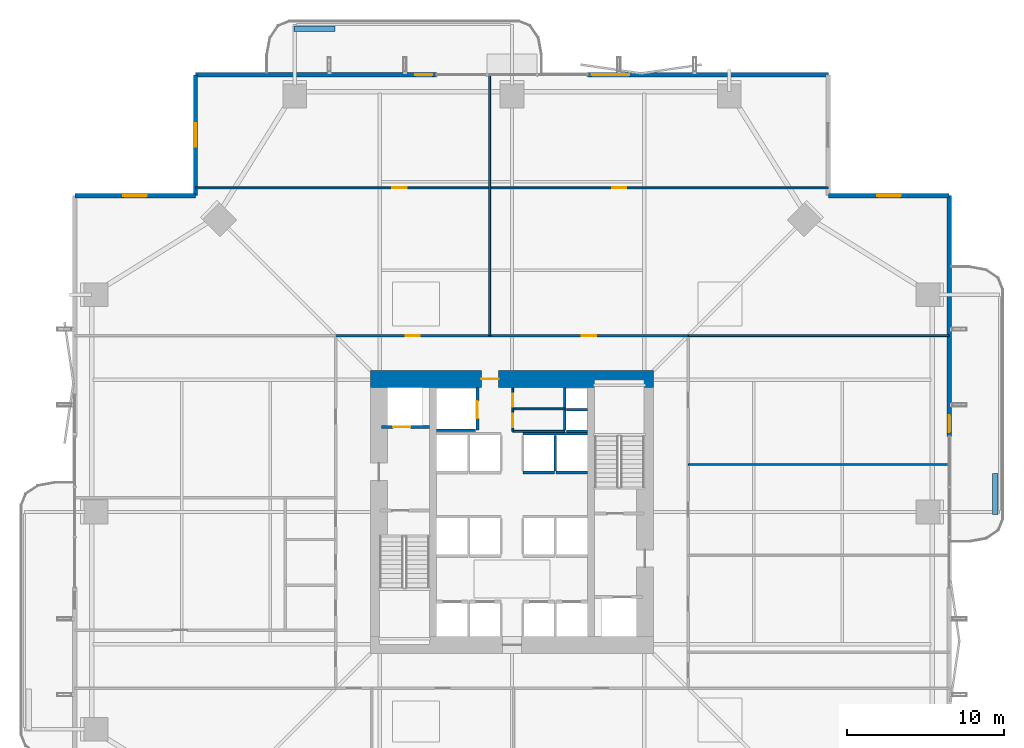
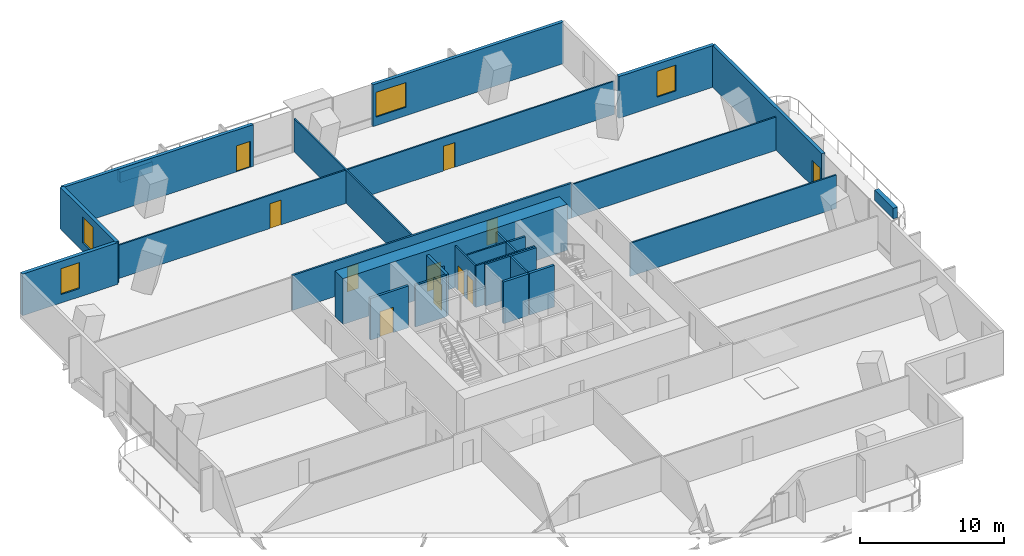
# One storey, part 19 of 24: 28 walls, 11 doors, 4 windows, 15 openings.
"""IFC4 building model written with IfcOpenShell, lengths in metres."""

import ifcopenshell
import ifcopenshell.guid

model = None  # the IFC model being written
_history = None  # IfcOwnerHistory: only IFC2X3 demands one
_inside = {}  # id of a spatial element -> (the spatial element, [elements in it])
_under = {}  # id of a project, library or spatial element -> (it, [spatial elements below it])
_declared = {}  # id of a project -> (the project, [libraries it declares])
_typed = {}  # id of a type object -> (the type object, [elements of that type])
_made_of = {}  # id of a material, layer set ... -> (it, [elements and type objects made of it])


def new_model(schema):
    """Start an empty IFC model of exactly this schema.

    Asked for "IFC4X3", IfcOpenShell would pick the latest addendum, in which some entities
    have other attributes; the version numbers below select the first issue.
    IFC2X3 requires an IfcOwnerHistory on every rooted entity: one is made here for all.
    """
    global model, _history
    if schema == "IFC4X3":
        model = ifcopenshell.file(schema_version=(4, 3, 0, 0))
    else:
        model = ifcopenshell.file(schema=schema)
    _inside.clear()
    _under.clear()
    _declared.clear()
    _typed.clear()
    _made_of.clear()
    _history = None
    if model.schema == "IFC2X3":
        org = make("IfcOrganization", Name="unknown")
        user = make(
            "IfcPersonAndOrganization",
            ThePerson=make("IfcPerson", FamilyName="unknown"),
            TheOrganization=org,
        )
        app = make(
            "IfcApplication",
            ApplicationDeveloper=org,
            Version="unknown",
            ApplicationFullName="unknown",
            ApplicationIdentifier="unknown",
        )
        _history = make(
            "IfcOwnerHistory",
            OwningUser=user,
            OwningApplication=app,
            ChangeAction="ADDED",
            CreationDate=0,
        )
    return model


def make(cls, **values):
    """One entity of the class cls with the attributes given. An attribute that is None is left unset."""
    return model.create_entity(
        cls, **{name: value for name, value in values.items() if value is not None}
    )


def rooted(cls, **values):
    """An entity with a GlobalId (a new one), such as an element, a storey or a relation."""
    return make(cls, GlobalId=ifcopenshell.guid.new(), OwnerHistory=_history, **values)


def si_unit(unit_type, name, prefix=None):
    """IfcSIUnit, for example si_unit("LENGTHUNIT", "METRE", prefix="MILLI")."""
    return make("IfcSIUnit", UnitType=unit_type, Prefix=prefix, Name=name)


def assignment(units):
    """IfcUnitAssignment: the units of a project."""
    return None if units is None else make("IfcUnitAssignment", Units=units)


def point(xyz):
    """IfcCartesianPoint."""
    return None if xyz is None else make("IfcCartesianPoint", Coordinates=xyz)


def direction(xyz):
    """IfcDirection."""
    return None if xyz is None else make("IfcDirection", DirectionRatios=xyz)


def frame(location, z_axis=None, x_axis=None):
    """IfcAxis2Placement3D, a coordinate frame: its origin and axes. An axis left out is left unset."""
    return make(
        "IfcAxis2Placement3D",
        Location=point(location),
        Axis=direction(z_axis),
        RefDirection=direction(x_axis),
    )


def frame_2d(location, x_axis=None):
    """IfcAxis2Placement2D, a coordinate frame in the plane: its origin and x axis."""
    return make(
        "IfcAxis2Placement2D", Location=point(location), RefDirection=direction(x_axis)
    )


def origin():
    """The frame at (0, 0, 0) with its axes left unset."""
    return frame((0.0, 0.0, 0.0))


def place(relative_to, where):
    """IfcLocalPlacement: puts the frame where relative to a parent placement (None: the world)."""
    return make(
        "IfcLocalPlacement", PlacementRelTo=relative_to, RelativePlacement=where
    )


def context(
    kind, dimensions, precision=None, world=None, true_north=None, identifier=None
):
    """IfcGeometricRepresentationContext, for example the 3D "Model" context."""
    return make(
        "IfcGeometricRepresentationContext",
        ContextIdentifier=identifier,
        ContextType=kind,
        CoordinateSpaceDimension=dimensions,
        Precision=precision,
        WorldCoordinateSystem=world,
        TrueNorth=true_north,
    )


def subcontext(parent, identifier, kind, view, scale=None):
    """IfcGeometricRepresentationSubContext, for example "Body" below "Model"."""
    return make(
        "IfcGeometricRepresentationSubContext",
        ContextIdentifier=identifier,
        ContextType=kind,
        ParentContext=parent,
        TargetScale=scale,
        TargetView=view,
    )


def project(units=None, contexts=None):
    """IfcProject with its units and contexts."""
    return rooted(
        "IfcProject",
        Name="project",
        RepresentationContexts=contexts,
        UnitsInContext=assignment(units),
    )


def spatial(cls, under=None, at=None, **own):
    """A site, building, storey or space (cls), placed at a placement, below another one or the project."""
    s = rooted(cls, ObjectPlacement=at, **own)
    if under is not None:
        _under.setdefault(under.id(), (under, []))[1].append(s)
    return s


def profile(cls, at=None, kind="AREA", **sizes):
    """A parametric profile (cls). Its sizes go by their IFC names, for example OverallWidth=200.0."""
    return make(cls, ProfileType=kind, Position=at, **sizes)


def rectangle(**sizes):
    """IfcRectangleProfileDef."""
    return profile("IfcRectangleProfileDef", **sizes)


def extrude(swept, where, along, depth):
    """IfcExtrudedAreaSolid: the profile swept, set in the frame where, extruded along a direction by depth."""
    return make(
        "IfcExtrudedAreaSolid",
        SweptArea=swept,
        Position=where,
        ExtrudedDirection=direction(along),
        Depth=depth,
    )


def shape(context_of_items, identifier, shape_type, items):
    """IfcShapeRepresentation: the items that make up one representation, for example the "Body"."""
    return make(
        "IfcShapeRepresentation",
        ContextOfItems=context_of_items,
        RepresentationIdentifier=identifier,
        RepresentationType=shape_type,
        Items=items,
    )


def material(Name=None, Category=None):
    """IfcMaterial."""
    return make("IfcMaterial", Name=Name, Category=Category)


def layer(
    of_material, thickness, ventilated=None, Name=None, Category=None, Priority=None
):
    """IfcMaterialLayer: one layer of a wall or slab, of a material (None: an air gap)."""
    return make(
        "IfcMaterialLayer",
        Material=of_material,
        LayerThickness=thickness,
        IsVentilated=ventilated,
        Name=Name,
        Category=Category,
        Priority=Priority,
    )


def layer_set(layers, Name=None):
    """IfcMaterialLayerSet."""
    return make("IfcMaterialLayerSet", MaterialLayers=layers, LayerSetName=Name)


def made_of(thing, what):
    """Note that an element or type object is made of a material, layer set ...; save() writes the relation."""
    if what is not None:
        _made_of.setdefault(what.id(), (what, []))[1].append(thing)
    return thing


def type_object(cls, material=None, **own):
    """A type object (cls), such as IfcWallType, which elements share."""
    return made_of(rooted(cls, **own), material)


def element(
    cls,
    number,
    at=None,
    inside=None,
    cuts=None,
    type_object=None,
    material=None,
    context=None,
    identifier="Body",
    shape_type=None,
    held_by="IfcProductDefinitionShape",
    body=None,
    shapes=None,
    **own,
):
    """One element of the class cls, such as IfcWall. Its Tag is "e" and its number.

    at: its placement. inside: the storey or other place that contains it. cuts: it is an
    opening in that element (IfcRelVoidsElement). A single representation is given by context,
    identifier, shape_type and body (its items); several are given by shapes. held_by: the class
    of the entity that holds the representations. save() writes the other relations.
    """
    e = rooted(cls, Tag="e%d" % number, ObjectPlacement=at, **own)
    if body is not None:
        shapes = [shape(context, identifier, shape_type, body)]
    if shapes is not None:
        e.Representation = make(held_by, Representations=shapes)
    if inside is not None:
        _inside.setdefault(inside.id(), (inside, []))[1].append(e)
    if cuts is not None:
        rooted(
            "IfcRelVoidsElement", RelatingBuildingElement=cuts, RelatedOpeningElement=e
        )
    if type_object is not None:
        _typed.setdefault(type_object.id(), (type_object, []))[1].append(e)
    return made_of(e, material)


def fill(opening, filler):
    """IfcRelFillsElement: the door or window that sits in an opening."""
    return rooted(
        "IfcRelFillsElement",
        RelatingOpeningElement=opening,
        RelatedBuildingElement=filler,
    )


def aggregate(whole, parts):
    """IfcRelAggregates: a whole, such as a stair, and the parts it consists of."""
    return rooted("IfcRelAggregates", RelatingObject=whole, RelatedObjects=parts)


def save(model, path):
    """Write the relations noted so far, then the file.

    IfcRelAggregates (storeys below a building ...), IfcRelContainedInSpatialStructure (elements
    in a storey), IfcRelDefinesByType, IfcRelAssociatesMaterial and IfcRelDeclares: one each for
    every whole, place, type object, material and project.
    """
    for whole, parts in _under.values():
        aggregate(whole, parts)
    for where, things in _inside.values():
        rooted(
            "IfcRelContainedInSpatialStructure",
            RelatedElements=things,
            RelatingStructure=where,
        )
    for kind, things in _typed.values():
        rooted("IfcRelDefinesByType", RelatedObjects=things, RelatingType=kind)
    for what, things in _made_of.values():
        rooted("IfcRelAssociatesMaterial", RelatedObjects=things, RelatingMaterial=what)
    for by, libraries in _declared.values():
        rooted("IfcRelDeclares", RelatingContext=by, RelatedDefinitions=libraries)
    model.write(path)


model = new_model("IFC4")

# Units and contexts
model_context = context("Model", 3, precision=1e-05, world=origin(), true_north=direction((0.0, 1.0)))
body_context = subcontext(model_context, "Body", "Model", "MODEL_VIEW")
ifc_project = project(units=[si_unit("LENGTHUNIT", "METRE"), si_unit("AREAUNIT", "SQUARE_METRE"), si_unit("VOLUMEUNIT", "CUBIC_METRE"), si_unit("PLANEANGLEUNIT", "RADIAN"), si_unit("MASSUNIT", "GRAM", prefix="KILO")], contexts=[model_context])

# Site, building, storey
site_placement = place(None, origin())
site = spatial("IfcSite", under=ifc_project, at=site_placement, CompositionType="ELEMENT")
building_placement = place(site_placement, origin())
building = spatial("IfcBuilding", under=site, at=building_placement, Name="Belovzor Exchange Tower", CompositionType="ELEMENT")
storey_placement = place(building_placement, frame((0.0, 0.0, 104.10009765625)))
storey = spatial("IfcBuildingStorey", under=building, at=storey_placement, Name="L25", CompositionType="ELEMENT", Elevation=104.10009765625)

# Wall, opening, door
ifc_material_1 = material(Name="Acoustic Plasterboard on Galvanised Studs", Category="gypsum")
ifc_layer_1 = layer(ifc_material_1, 0.1201171875)
ifc_layer_set_1 = layer_set([ifc_layer_1], Name="Acoustic Plasterboard on Galvanised Studs")
wall_type_1 = type_object("IfcWallType", Name="Acoustic Double-Stud Partition Wall 120", PredefinedType="PARTITIONING", material=ifc_layer_set_1)
wall_1_placement = place(storey_placement, frame((8.699951171875, 49.387939453125, 0.0), z_axis=(0.0, 0.0, 1.0), x_axis=(1.0, 0.0, 0.0)))
wall_1 = element("IfcWall", 1, at=wall_1_placement, inside=storey, type_object=wall_type_1, Name="W-P120 Partition Wall W-L25-NHDIV-0", PredefinedType="PARTITIONING", context=body_context, shape_type="SweptSolid", body=[
    extrude(rectangle(XDim=18.676025390625, YDim=0.1201171875, at=frame_2d((9.337890625, 0.0))), origin(), (0.0, 0.0, 1.0), 2.824951171875),
])
opening_1_placement = place(wall_1_placement, frame((12.508056640625, 0.0, 0.0)))
opening_1 = element("IfcOpeningElement", 2, at=opening_1_placement, cuts=wall_1, Name="Opening D-INT-090", PredefinedType="OPENING", context=body_context, shape_type="SweptSolid", body=[
    extrude(rectangle(XDim=0.89990234375, YDim=2.10009765625, at=frame_2d((0.449951171875, 1.050048828125))), frame((0.0, 0.070068359375, 0.0), z_axis=(0.0, -1.0, 0.0), x_axis=(1.0, 0.0, 0.0)), (0.0, 0.0, 1.0), 0.14013671875),
])
ifc_material_2 = material(Name="Veneered Hardwood Acoustic Leaf", Category="wood")
door_type_1 = type_object("IfcDoorType", Name="Trading Suite Acoustic Single Door 900x2100", OperationType="NOTDEFINED", PredefinedType="DOOR", material=ifc_material_2)
door_1_placement = place(opening_1_placement, origin())
door_1 = element("IfcDoor", 3, at=door_1_placement, inside=storey, type_object=door_type_1, Name="D-INT-090 Trading Suite Acoustic Single Door 900x2100", OperationType="SINGLE_SWING_RIGHT", OverallHeight=2.10009765625, OverallWidth=0.89990234375, PredefinedType="DOOR", context=body_context, shape_type="SweptSolid", body=[
    extrude(rectangle(XDim=0.89990234375, YDim=2.10009765625, at=frame_2d((0.449951171875, 1.050048828125))), frame((0.0, 0.02490234375, 0.0), z_axis=(0.0, -1.0, 0.0), x_axis=(1.0, 0.0, 0.0)), (0.0, 0.0, 1.0), 0.050048828125),
])
fill(opening_1, door_1)

# Wall
wall_2_placement = place(storey_placement, frame((27.3759765625, 40.0, 0.0), z_axis=(0.0, 0.0, 1.0), x_axis=(0.0, 1.0, 0.0)))
element("IfcWall", 4, at=wall_2_placement, inside=storey, type_object=wall_type_1, Name="W-P120 Partition Wall W-L25-NDIV-1", PredefinedType="PARTITIONING", context=body_context, shape_type="SweptSolid", body=[
    extrude(rectangle(XDim=16.570068359375, YDim=0.1201171875, at=frame_2d((8.28515625, 0.0))), origin(), (0.0, 0.0, 1.0), 2.824951171875),
])

# Wall, opening, door
wall_3_placement = place(storey_placement, frame((27.3759765625, 49.387939453125, 0.0), z_axis=(0.0, 0.0, 1.0), x_axis=(1.0, 0.0, 0.0)))
wall_3 = element("IfcWall", 5, at=wall_3_placement, inside=storey, type_object=wall_type_1, Name="W-P120 Partition Wall W-L25-NHDIV-1", PredefinedType="PARTITIONING", context=body_context, shape_type="SweptSolid", body=[
    extrude(rectangle(XDim=21.52392578125, YDim=0.1201171875, at=frame_2d((10.761962890625, 0.0))), origin(), (0.0, 0.0, 1.0), 2.824951171875),
])
opening_2_placement = place(wall_3_placement, frame((7.783935546875, 0.0, 0.0)))
opening_2 = element("IfcOpeningElement", 6, at=opening_2_placement, cuts=wall_3, Name="Opening D-INT-090", PredefinedType="OPENING", context=body_context, shape_type="SweptSolid", body=[
    extrude(rectangle(XDim=0.89990234375, YDim=2.10009765625, at=frame_2d((0.449951171875, 1.050048828125))), frame((0.0, 0.070068359375, 0.0), z_axis=(0.0, -1.0, 0.0), x_axis=(1.0, 0.0, 0.0)), (0.0, 0.0, 1.0), 0.14013671875),
])
door_2_placement = place(opening_2_placement, origin())
door_2 = element("IfcDoor", 7, at=door_2_placement, inside=storey, type_object=door_type_1, Name="D-INT-090 Trading Suite Acoustic Single Door 900x2100", OperationType="SINGLE_SWING_RIGHT", OverallHeight=2.10009765625, OverallWidth=0.89990234375, PredefinedType="DOOR", context=body_context, shape_type="SweptSolid", body=[
    extrude(rectangle(XDim=0.89990234375, YDim=2.10009765625, at=frame_2d((0.449951171875, 1.050048828125))), frame((0.0, 0.02490234375, 0.0), z_axis=(0.0, -1.0, 0.0), x_axis=(1.0, 0.0, 0.0)), (0.0, 0.0, 1.0), 0.050048828125),
])
fill(opening_2, door_2)

# Walls
for number, where, z_axis, x_axis, name in (
    (8, (40.0, 40.0, 0.0), (0.0, 0.0, 1.0), (1.0, 0.0, 0.0), "W-P120 Partition Wall W-L25-END-NE"),
    (9, (40.0, 31.819091796875, 0.0), (0.0, 0.0, 1.0), (1.0, 0.0, 0.0), "W-P120 Partition Wall W-L25-EDIV-3"),
):
    element("IfcWall", number, at=place(storey_placement, frame(where, z_axis=z_axis, x_axis=x_axis)), inside=storey, type_object=wall_type_1, Name=name, PredefinedType="PARTITIONING", context=body_context, shape_type="SweptSolid", body=[
        extrude(rectangle(XDim=16.570068359375, YDim=0.1201171875, at=frame_2d((8.28515625, 0.0))), origin(), (0.0, 0.0, 1.0), 2.824951171875),
    ])

# Wall, openings, doors
ifc_material_3 = material(Name="Fire-Rated Plasterboard on Galvanised Studs", Category="gypsum")
ifc_layer_2 = layer(ifc_material_3, 0.1201171875)
ifc_layer_set_2 = layer_set([ifc_layer_2], Name="Fire-Rated Plasterboard on Galvanised Studs")
wall_type_2 = type_object("IfcWallType", Name="Fire-Rated Double-Stud Partition Wall 120", PredefinedType="PARTITIONING", material=ifc_layer_set_2)
wall_4_placement = place(storey_placement, frame((28.85009765625, 33.925048828125, 0.0), z_axis=(0.0, 0.0, 1.0), x_axis=(0.0, 1.0, 0.0)))
wall_4 = element("IfcWall", 10, at=wall_4_placement, inside=storey, type_object=wall_type_2, Name="W-P120F Partition Wall W-CRV-L25-W", PredefinedType="PARTITIONING", context=body_context, shape_type="SweptSolid", body=[
    extrude(rectangle(XDim=2.77490234375, YDim=0.1201171875, at=frame_2d((1.387451171875, 0.0))), origin(), (0.0, 0.0, 1.0), 3.539794921875),
])
opening_3_placement = place(wall_4_placement, frame((0.25, 0.0, 0.0)))
opening_3 = element("IfcOpeningElement", 11, at=opening_3_placement, cuts=wall_4, Name="Opening D-FD60-085", PredefinedType="OPENING", context=body_context, shape_type="SweptSolid", body=[
    extrude(rectangle(XDim=0.85009765625, YDim=2.10009765625, at=frame_2d((0.425048828125, 1.050048828125))), frame((0.0, 0.070068359375, 0.0), z_axis=(0.0, -1.0, 0.0), x_axis=(1.0, 0.0, 0.0)), (0.0, 0.0, 1.0), 0.14013671875),
])
opening_4_placement = place(wall_4_placement, frame((1.544921875, 0.0, 0.0)))
opening_4 = element("IfcOpeningElement", 12, at=opening_4_placement, cuts=wall_4, Name="Opening D-FD60-085", PredefinedType="OPENING", context=body_context, shape_type="SweptSolid", body=[
    extrude(rectangle(XDim=0.85009765625, YDim=2.10009765625, at=frame_2d((0.425048828125, 1.050048828125))), frame((0.0, 0.070068359375, 0.0), z_axis=(0.0, -1.0, 0.0), x_axis=(1.0, 0.0, 0.0)), (0.0, 0.0, 1.0), 0.14013671875),
])
ifc_material_4 = material(Name="Fire-Rated Steel Access Leaf", Category="steel")
door_type_2 = type_object("IfcDoorType", Name="Riser & Meter Closet Access Fire Door 850x2100", OperationType="NOTDEFINED", PredefinedType="DOOR", material=ifc_material_4)
door_3_placement = place(opening_3_placement, origin())
door_3 = element("IfcDoor", 13, at=door_3_placement, inside=storey, type_object=door_type_2, Name="D-FD60-085 Riser & Meter Closet Access Fire Door 850x2100", OperationType="SINGLE_SWING_LEFT", OverallHeight=2.10009765625, OverallWidth=0.85009765625, PredefinedType="DOOR", context=body_context, shape_type="SweptSolid", body=[
    extrude(rectangle(XDim=0.85009765625, YDim=2.10009765625, at=frame_2d((0.425048828125, 1.050048828125))), frame((0.0, 0.02490234375, 0.0), z_axis=(0.0, -1.0, 0.0), x_axis=(1.0, 0.0, 0.0)), (0.0, 0.0, 1.0), 0.050048828125),
])
fill(opening_3, door_3)
door_4_placement = place(opening_4_placement, origin())
door_4 = element("IfcDoor", 14, at=door_4_placement, inside=storey, type_object=door_type_2, Name="D-FD60-085 Riser & Meter Closet Access Fire Door 850x2100", OperationType="SINGLE_SWING_RIGHT", OverallHeight=2.10009765625, OverallWidth=0.85009765625, PredefinedType="DOOR", context=body_context, shape_type="SweptSolid", body=[
    extrude(rectangle(XDim=0.85009765625, YDim=2.10009765625, at=frame_2d((0.425048828125, 1.050048828125))), frame((0.0, 0.02490234375, 0.0), z_axis=(0.0, -1.0, 0.0), x_axis=(1.0, 0.0, 0.0)), (0.0, 0.0, 1.0), 0.050048828125),
])
fill(opening_4, door_4)

# Walls
for number, where, z_axis, x_axis, name in (
    (15, (28.85009765625, 35.35009765625, 0.0), (0.0, 0.0, 1.0), (1.0, 0.0, 0.0), "W-P120F Partition Wall W-CRV-L25-M"),
    (16, (28.85009765625, 33.925048828125, 0.0), (0.0, 0.0, 1.0), (1.0, 0.0, 0.0), "W-P120F Partition Wall W-CRV-L25-S"),
):
    element("IfcWall", number, at=place(storey_placement, frame(where, z_axis=z_axis, x_axis=x_axis)), inside=storey, type_object=wall_type_2, Name=name, PredefinedType="PARTITIONING", context=body_context, shape_type="SweptSolid", body=[
        extrude(rectangle(XDim=3.2998046875, YDim=0.1201171875, at=frame_2d((1.64990234375, 0.0))), origin(), (0.0, 0.0, 1.0), 3.539794921875),
    ])

# Wall, openings, doors
ifc_material_5 = material(Name="Fire-Rated Gypsum Block and Mineral Wool", Category="gypsum")
ifc_layer_3 = layer(ifc_material_5, 0.14990234375)
ifc_layer_set_3 = layer_set([ifc_layer_3], Name="Fire-Rated Gypsum Block and Mineral Wool")
wall_type_3 = type_object("IfcWallType", Name="Fire-Rated Gypsum Block Corridor Wall 150", PredefinedType="PARTITIONING", material=ifc_layer_set_3)
wall_5_placement = place(storey_placement, frame((17.60009765625, 40.0, 0.0), z_axis=(0.0, 0.0, 1.0), x_axis=(1.0, 0.0, 0.0)))
wall_5 = element("IfcWall", 17, at=wall_5_placement, inside=storey, type_object=wall_type_3, Name="W-P150 Partition Wall W-L25-CN", PredefinedType="PARTITIONING", context=body_context, shape_type="SweptSolid", body=[
    extrude(rectangle(XDim=22.39990234375, YDim=0.14990234375, at=frame_2d((11.199951171875, 0.0))), origin(), (0.0, 0.0, 1.0), 2.974853515625),
])
opening_5_placement = place(wall_5_placement, frame((4.43798828125, 0.0, 0.0)))
opening_5 = element("IfcOpeningElement", 18, at=opening_5_placement, cuts=wall_5, Name="Opening D-INT-090", PredefinedType="OPENING", context=body_context, shape_type="SweptSolid", body=[
    extrude(rectangle(XDim=0.89990234375, YDim=2.10009765625, at=frame_2d((0.449951171875, 1.050048828125))), frame((0.0, 0.0849609375, 0.0), z_axis=(0.0, -1.0, 0.0), x_axis=(1.0, 0.0, 0.0)), (0.0, 0.0, 1.0), 0.169921875),
])
opening_6_placement = place(wall_5_placement, frame((15.637939453125, 0.0, 0.0)))
opening_6 = element("IfcOpeningElement", 19, at=opening_6_placement, cuts=wall_5, Name="Opening D-INT-090", PredefinedType="OPENING", context=body_context, shape_type="SweptSolid", body=[
    extrude(rectangle(XDim=0.89990234375, YDim=2.10009765625, at=frame_2d((0.449951171875, 1.050048828125))), frame((0.0, 0.0849609375, 0.0), z_axis=(0.0, -1.0, 0.0), x_axis=(1.0, 0.0, 0.0)), (0.0, 0.0, 1.0), 0.169921875),
])
door_5_placement = place(opening_5_placement, origin())
door_5 = element("IfcDoor", 20, at=door_5_placement, inside=storey, type_object=door_type_1, Name="D-INT-090 Trading Suite Acoustic Single Door 900x2100", OperationType="SINGLE_SWING_LEFT", OverallHeight=2.10009765625, OverallWidth=0.89990234375, PredefinedType="DOOR", context=body_context, shape_type="SweptSolid", body=[
    extrude(rectangle(XDim=0.89990234375, YDim=2.10009765625, at=frame_2d((0.449951171875, 1.050048828125))), frame((0.0, 0.02490234375, 0.0), z_axis=(0.0, -1.0, 0.0), x_axis=(1.0, 0.0, 0.0)), (0.0, 0.0, 1.0), 0.050048828125),
])
fill(opening_5, door_5)
door_6_placement = place(opening_6_placement, origin())
door_6 = element("IfcDoor", 21, at=door_6_placement, inside=storey, type_object=door_type_1, Name="D-INT-090 Trading Suite Acoustic Single Door 900x2100", OperationType="SINGLE_SWING_RIGHT", OverallHeight=2.10009765625, OverallWidth=0.89990234375, PredefinedType="DOOR", context=body_context, shape_type="SweptSolid", body=[
    extrude(rectangle(XDim=0.89990234375, YDim=2.10009765625, at=frame_2d((0.449951171875, 1.050048828125))), frame((0.0, 0.02490234375, 0.0), z_axis=(0.0, -1.0, 0.0), x_axis=(1.0, 0.0, 0.0)), (0.0, 0.0, 1.0), 0.050048828125),
])
fill(opening_6, door_6)

# Wall, opening, window
ifc_material_6 = material(Name="Precast concrete C40/50", Category="concrete")
ifc_layer_4 = layer(ifc_material_6, 0.280029296875)
ifc_layer_set_4 = layer_set([ifc_layer_4], Name="Precast concrete C40/50")
wall_type_4 = type_object("IfcWallType", Name="Precast Concrete Notched Corner Frame Wall 280", PredefinedType="SOLIDWALL", material=ifc_layer_set_4)
wall_6_placement = place(storey_placement, frame((1.030029296875, 48.89990234375, 0.0), z_axis=(0.0, 0.0, 1.0), x_axis=(1.0, 0.0, 0.0)))
wall_6 = element("IfcWall", 22, at=wall_6_placement, inside=storey, type_object=wall_type_4, Name="W-CRN280 Precast Concrete Notched Corner Frame Wall 280 L25", PredefinedType="SOLIDWALL", context=body_context, shape_type="SweptSolid", body=[
    extrude(rectangle(XDim=7.669921875, YDim=0.280029296875, at=frame_2d((3.8349609375, 0.0))), origin(), (0.0, 0.0, 1.0), 3.539794921875),
])
opening_7_placement = place(wall_6_placement, frame((3.0849609375, 0.0, 0.719970703125)))
opening_7 = element("IfcOpeningElement", 23, at=opening_7_placement, cuts=wall_6, Name="Opening WN-CRN150", PredefinedType="OPENING", context=body_context, shape_type="SweptSolid", body=[
    extrude(rectangle(XDim=1.5, YDim=2.199951171875, at=frame_2d((0.75, 1.10009765625))), frame((0.0, 0.14990234375, 0.0), z_axis=(0.0, -1.0, 0.0), x_axis=(1.0, 0.0, 0.0)), (0.0, 0.0, 1.0), 0.300048828125),
])
ifc_material_7 = material(Name="Thermally Broken Aluminium and Triple Glazing", Category="aluminium")
window_type_1 = type_object("IfcWindowType", Name="Streamline Notched Corner Window 1500x2200", PartitioningType="SINGLE_PANEL", PredefinedType="WINDOW", material=ifc_material_7)
window_1_placement = place(opening_7_placement, origin())
window_1 = element("IfcWindow", 24, at=window_1_placement, inside=storey, type_object=window_type_1, Name="WN-CRN150 Streamline Notched Corner Window 1500x2200", OverallHeight=2.199951171875, OverallWidth=1.5, PartitioningType="SINGLE_PANEL", PredefinedType="WINDOW", context=body_context, shape_type="SweptSolid", body=[
    extrude(rectangle(XDim=1.5, YDim=2.199951171875, at=frame_2d((0.75, 1.10009765625))), frame((0.0, 0.030029296875, 0.0), z_axis=(0.0, -1.0, 0.0), x_axis=(1.0, 0.0, 0.0)), (0.0, 0.0, 1.0), 0.06005859375),
])
fill(opening_7, window_1)

wall_7_placement = place(storey_placement, frame((8.699951171875, 48.89990234375, 0.0), z_axis=(0.0, 0.0, 1.0), x_axis=(0.0, 1.0, 0.0)))
wall_7 = element("IfcWall", 25, at=wall_7_placement, inside=storey, type_object=wall_type_4, Name="W-CRN280 Precast Concrete Notched Corner Frame Wall 280 L25", PredefinedType="SOLIDWALL", context=body_context, shape_type="SweptSolid", body=[
    extrude(rectangle(XDim=7.670166015625, YDim=0.280029296875, at=frame_2d((3.8349609375, 0.0))), origin(), (0.0, 0.0, 1.0), 3.539794921875),
])
opening_8_placement = place(wall_7_placement, frame((3.0849609375, 0.0, 0.719970703125)))
opening_8 = element("IfcOpeningElement", 26, at=opening_8_placement, cuts=wall_7, Name="Opening WN-CRN150", PredefinedType="OPENING", context=body_context, shape_type="SweptSolid", body=[
    extrude(rectangle(XDim=1.5, YDim=2.199951171875, at=frame_2d((0.75, 1.10009765625))), frame((0.0, 0.14990234375, 0.0), z_axis=(0.0, -1.0, 0.0), x_axis=(1.0, 0.0, 0.0)), (0.0, 0.0, 1.0), 0.300048828125),
])
window_2_placement = place(opening_8_placement, origin())
window_2 = element("IfcWindow", 27, at=window_2_placement, inside=storey, type_object=window_type_1, Name="WN-CRN150 Streamline Notched Corner Window 1500x2200", OverallHeight=2.199951171875, OverallWidth=1.5, PartitioningType="SINGLE_PANEL", PredefinedType="WINDOW", context=body_context, shape_type="SweptSolid", body=[
    extrude(rectangle(XDim=1.5, YDim=2.199951171875, at=frame_2d((0.75, 1.10009765625))), frame((0.0, 0.030029296875, 0.0), z_axis=(0.0, -1.0, 0.0), x_axis=(1.0, 0.0, 0.0)), (0.0, 0.0, 1.0), 0.06005859375),
])
fill(opening_8, window_2)

wall_8_placement = place(storey_placement, frame((48.89990234375, 48.89990234375, 0.0), z_axis=(0.0, 0.0, 1.0), x_axis=(1.0, 0.0, 0.0)))
wall_8 = element("IfcWall", 28, at=wall_8_placement, inside=storey, type_object=wall_type_4, Name="W-CRN280 Precast Concrete Notched Corner Frame Wall 280 L25", PredefinedType="SOLIDWALL", context=body_context, shape_type="SweptSolid", body=[
    extrude(rectangle(XDim=7.670166015625, YDim=0.280029296875, at=frame_2d((3.8349609375, 0.0))), origin(), (0.0, 0.0, 1.0), 3.539794921875),
])
opening_9_placement = place(wall_8_placement, frame((3.0849609375, 0.0, 0.719970703125)))
opening_9 = element("IfcOpeningElement", 29, at=opening_9_placement, cuts=wall_8, Name="Opening WN-CRN150", PredefinedType="OPENING", context=body_context, shape_type="SweptSolid", body=[
    extrude(rectangle(XDim=1.5, YDim=2.199951171875, at=frame_2d((0.75, 1.10009765625))), frame((0.0, 0.14990234375, 0.0), z_axis=(0.0, -1.0, 0.0), x_axis=(1.0, 0.0, 0.0)), (0.0, 0.0, 1.0), 0.300048828125),
])
window_3_placement = place(opening_9_placement, origin())
window_3 = element("IfcWindow", 30, at=window_3_placement, inside=storey, type_object=window_type_1, Name="WN-CRN150 Streamline Notched Corner Window 1500x2200", OverallHeight=2.199951171875, OverallWidth=1.5, PartitioningType="SINGLE_PANEL", PredefinedType="WINDOW", context=body_context, shape_type="SweptSolid", body=[
    extrude(rectangle(XDim=1.5, YDim=2.199951171875, at=frame_2d((0.75, 1.10009765625))), frame((0.0, 0.030029296875, 0.0), z_axis=(0.0, -1.0, 0.0), x_axis=(1.0, 0.0, 0.0)), (0.0, 0.0, 1.0), 0.06005859375),
])
fill(opening_9, window_3)

# Wall, opening, door
ifc_material_8 = material(Name="Precast concrete C40/50", Category="concrete")
ifc_layer_5 = layer(ifc_material_8, 0.260009765625)
ifc_layer_set_5 = layer_set([ifc_layer_5], Name="Precast concrete C40/50")
wall_type_5 = type_object("IfcWallType", Name="Precast Concrete Perimeter Loggia Frame Wall 260", PredefinedType="SOLIDWALL", material=ifc_layer_set_5)
wall_9_placement = place(storey_placement, frame((8.699951171875, 56.570068359375, 0.0), z_axis=(0.0, 0.0, 1.0), x_axis=(1.0, 0.0, 0.0)))
wall_9 = element("IfcWall", 31, at=wall_9_placement, inside=storey, type_object=wall_type_5, Name="W-EXT260 Precast Concrete Perimeter Loggia Frame Wall 260 L25", PredefinedType="SOLIDWALL", context=body_context, shape_type="SweptSolid", body=[
    extrude(rectangle(XDim=15.300048828125, YDim=0.260009765625, at=frame_2d((7.64990234375, 0.0))), origin(), (0.0, 0.0, 1.0), 3.539794921875),
])
opening_10_placement = place(wall_9_placement, frame((13.949951171875, 0.0, 0.0)))
opening_10 = element("IfcOpeningElement", 32, at=opening_10_placement, cuts=wall_9, Name="Opening D-BAL110", PredefinedType="OPENING", context=body_context, shape_type="SweptSolid", body=[
    extrude(rectangle(XDim=1.10009765625, YDim=2.199951171875, at=frame_2d((0.550048828125, 1.10009765625))), frame((0.0, 0.139892578125, 0.0), z_axis=(0.0, -1.0, 0.0), x_axis=(1.0, 0.0, 0.0)), (0.0, 0.0, 1.0), 0.280029296875),
])
ifc_material_9 = material(Name="Thermally Broken Anodised Aluminium and Laminated Glass", Category="aluminium")
door_type_3 = type_object("IfcDoorType", Name="Planted Loggia Terrace Glazed Door 1100x2200", OperationType="SINGLE_SWING_LEFT", PredefinedType="DOOR", material=ifc_material_9)
door_7_placement = place(opening_10_placement, origin())
door_7 = element("IfcDoor", 33, at=door_7_placement, inside=storey, type_object=door_type_3, Name="D-BAL110 Balcony Terrace Door L25 N", OperationType="SINGLE_SWING_RIGHT", OverallHeight=2.199951171875, OverallWidth=1.10009765625, PredefinedType="DOOR", context=body_context, shape_type="SweptSolid", body=[
    extrude(rectangle(XDim=1.10009765625, YDim=2.199951171875, at=frame_2d((0.550048828125, 1.10009765625))), frame((0.0, 0.02490234375, 0.0), z_axis=(0.0, -1.0, 0.0), x_axis=(1.0, 0.0, 0.0)), (0.0, 0.0, 1.0), 0.050048828125),
])
fill(opening_10, door_7)

# Wall, opening, window
wall_10_placement = place(storey_placement, frame((33.60009765625, 56.570068359375, 0.0), z_axis=(0.0, 0.0, 1.0), x_axis=(1.0, 0.0, 0.0)))
wall_10 = element("IfcWall", 34, at=wall_10_placement, inside=storey, type_object=wall_type_5, Name="W-EXT260 Precast Concrete Perimeter Loggia Frame Wall 260 L25", PredefinedType="SOLIDWALL", context=body_context, shape_type="SweptSolid", body=[
    extrude(rectangle(XDim=15.2998046875, YDim=0.260009765625, at=frame_2d((7.64990234375, 0.0))), origin(), (0.0, 0.0, 1.0), 3.539794921875),
])
opening_11_placement = place(wall_10_placement, frame((0.25, 0.0, 0.719970703125)))
opening_11 = element("IfcOpeningElement", 35, at=opening_11_placement, cuts=wall_10, Name="Opening WN-LOG240", PredefinedType="OPENING", context=body_context, shape_type="SweptSolid", body=[
    extrude(rectangle(XDim=2.39990234375, YDim=2.10009765625, at=frame_2d((1.199951171875, 1.050048828125))), frame((0.0, 0.139892578125, 0.0), z_axis=(0.0, -1.0, 0.0), x_axis=(1.0, 0.0, 0.0)), (0.0, 0.0, 1.0), 0.280029296875),
])
ifc_material_10 = material(Name="Thermally Broken Aluminium and Triple Glazing", Category="aluminium")
window_type_2 = type_object("IfcWindowType", Name="Triple-Glazed Loggia Ribbon Window 2400x2100", PartitioningType="SINGLE_PANEL", PredefinedType="WINDOW", material=ifc_material_10)
window_4_placement = place(opening_11_placement, origin())
window_4 = element("IfcWindow", 36, at=window_4_placement, inside=storey, type_object=window_type_2, Name="WN-LOG240 Triple-Glazed Loggia Ribbon Window 2400x2100", OverallHeight=2.10009765625, OverallWidth=2.39990234375, PartitioningType="SINGLE_PANEL", PredefinedType="WINDOW", context=body_context, shape_type="SweptSolid", body=[
    extrude(rectangle(XDim=2.39990234375, YDim=2.10009765625, at=frame_2d((1.199951171875, 1.050048828125))), frame((0.0, 0.030029296875, 0.0), z_axis=(0.0, -1.0, 0.0), x_axis=(1.0, 0.0, 0.0)), (0.0, 0.0, 1.0), 0.06005859375),
])
fill(opening_11, window_4)

# Wall, opening, door
wall_11_placement = place(storey_placement, frame((56.570068359375, 48.89990234375, 0.0), z_axis=(0.0, 0.0, 1.0), x_axis=(0.0, -1.0, 0.0)))
wall_11 = element("IfcWall", 37, at=wall_11_placement, inside=storey, type_object=wall_type_5, Name="W-EXT260 Precast Concrete Perimeter Loggia Frame Wall 260 L25", PredefinedType="SOLIDWALL", context=body_context, shape_type="SweptSolid", body=[
    extrude(rectangle(XDim=15.2998046875, YDim=0.260009765625, at=frame_2d((7.64990234375, 0.0))), origin(), (0.0, 0.0, 1.0), 3.539794921875),
])
opening_12_placement = place(wall_11_placement, frame((13.949951171875, 0.0, 0.0)))
opening_12 = element("IfcOpeningElement", 38, at=opening_12_placement, cuts=wall_11, Name="Opening D-BAL110", PredefinedType="OPENING", context=body_context, shape_type="SweptSolid", body=[
    extrude(rectangle(XDim=1.10009765625, YDim=2.199951171875, at=frame_2d((0.550048828125, 1.10009765625))), frame((0.0, 0.139892578125, 0.0), z_axis=(0.0, -1.0, 0.0), x_axis=(1.0, 0.0, 0.0)), (0.0, 0.0, 1.0), 0.280029296875),
])
door_8_placement = place(opening_12_placement, origin())
door_8 = element("IfcDoor", 39, at=door_8_placement, inside=storey, type_object=door_type_3, Name="D-BAL110 Balcony Terrace Door L25 E", OperationType="SINGLE_SWING_LEFT", OverallHeight=2.199951171875, OverallWidth=1.10009765625, PredefinedType="DOOR", context=body_context, shape_type="SweptSolid", body=[
    extrude(rectangle(XDim=1.10009765625, YDim=2.199951171875, at=frame_2d((0.550048828125, 1.10009765625))), frame((0.0, 0.02490234375, 0.0), z_axis=(0.0, -1.0, 0.0), x_axis=(1.0, 0.0, 0.0)), (0.0, 0.0, 1.0), 0.050048828125),
])
fill(opening_12, door_8)

# Walls
ifc_material_11 = material(Name="Precast concrete C40/50", Category="concrete")
ifc_layer_6 = layer(ifc_material_11, 0.35009765625)
ifc_layer_set_6 = layer_set([ifc_layer_6], Name="Precast concrete C40/50")
wall_type_6 = type_object("IfcWallType", Name="Precast Concrete Structural Tree Planter Trough 350", PredefinedType="PARAPET", material=ifc_layer_set_6)
for number, where, z_axis, x_axis, name in (
    (40, (14.949951171875, 59.5, 0.0), (0.0, 0.0, 1.0), (1.0, 0.0, 0.0), "PT-350 Precast Concrete Structural Tree Planter Trough 350 L25"),
    (41, (59.5, 28.64990234375, 0.0), (0.0, 0.0, 1.0), (0.0, 1.0, 0.0), "PT-350 Precast Concrete Structural Tree Planter Trough 350 L25"),
):
    element("IfcWall", number, at=place(storey_placement, frame(where, z_axis=z_axis, x_axis=x_axis)), inside=storey, type_object=wall_type_6, Name=name, PredefinedType="PARAPET", context=body_context, shape_type="SweptSolid", body=[
        extrude(rectangle(XDim=2.60009765625, YDim=0.35009765625, at=frame_2d((1.300048828125, 0.0))), origin(), (0.0, 0.0, 1.0), 0.89990234375),
    ])
ifc_material_12 = material(Name="Concrete C50/60", Category="concrete")
ifc_layer_7 = layer(ifc_material_12, 0.14990234375)
ifc_layer_set_7 = layer_set([ifc_layer_7], Name="Concrete C50/60")
wall_type_7 = type_object("IfcWallType", Name="Reinforced Concrete Core Riser Shear Wall 150", PredefinedType="SHEAR", material=ifc_layer_set_7)
wall_12_placement = place(storey_placement, frame((32.14990234375, 34.0, 0.0), z_axis=(0.0, 0.0, 1.0), x_axis=(0.0, 1.0, 0.0)))
element("IfcWall", 42, at=wall_12_placement, inside=storey, type_object=wall_type_7, Name="W-C150S Core Shaft Wall W-RSR-L25-E", PredefinedType="SHEAR", context=body_context, shape_type="SweptSolid", body=[
    extrude(rectangle(XDim=2.699951171875, YDim=0.14990234375, at=frame_2d((1.35009765625, 0.0))), origin(), (0.0, 0.0, 1.0), 3.539794921875),
])
for number, where, z_axis, x_axis, name in (
    (43, (32.25, 33.925048828125, 0.0), (0.0, 0.0, 1.0), (1.0, 0.0, 0.0), "W-C150S Core Shaft Wall W-RSR-L25-S"),
    (44, (32.25, 35.300048828125, 0.0), (0.0, 0.0, 1.0), (1.0, 0.0, 0.0), "W-C150S Core Shaft Wall W-RSR-L25-M"),
):
    element("IfcWall", number, at=place(storey_placement, frame(where, z_axis=z_axis, x_axis=x_axis)), inside=storey, type_object=wall_type_7, Name=name, PredefinedType="SHEAR", context=body_context, shape_type="SweptSolid", body=[
        extrude(rectangle(XDim=1.330078125, YDim=0.14990234375, at=frame_2d((0.6650390625, 0.0))), origin(), (0.0, 0.0, 1.0), 3.539794921875),
    ])
wall_13_placement = place(storey_placement, frame((24.0, 34.0, 0.0), z_axis=(0.0, 0.0, 1.0), x_axis=(1.0, 0.0, 0.0)))
element("IfcWall", 45, at=wall_13_placement, inside=storey, type_object=wall_type_7, Name="W-C150S Core Shaft Wall W-SH-L25-SL-01S", PredefinedType="SHEAR", context=body_context, shape_type="SweptSolid", body=[
    extrude(rectangle(XDim=2.47998046875, YDim=0.14990234375, at=frame_2d((1.239990234375, 0.0))), origin(), (0.0, 0.0, 1.0), 3.539794921875),
])
wall_14_placement = place(storey_placement, frame((29.5, 33.760009765625, 0.0), z_axis=(0.0, 0.0, 1.0), x_axis=(1.0, 0.0, 0.0)))
element("IfcWall", 46, at=wall_14_placement, inside=storey, type_object=wall_type_7, Name="W-C150S Core Shaft Wall W-SHB-L25-PLH-NE", PredefinedType="SHEAR", context=body_context, shape_type="SweptSolid", body=[
    extrude(rectangle(XDim=4.080078125, YDim=0.14990234375, at=frame_2d((2.0400390625, 0.0))), origin(), (0.0, 0.0, 1.0), 3.539794921875),
])
wall_15_placement = place(storey_placement, frame((31.550048828125, 31.419921875, 0.0), z_axis=(0.0, 0.0, 1.0), x_axis=(0.0, 1.0, 0.0)))
element("IfcWall", 47, at=wall_15_placement, inside=storey, type_object=wall_type_7, Name="W-C150S Core Shaft Wall W-SHD-L25-PLH-4", PredefinedType="SHEAR", context=body_context, shape_type="SweptSolid", body=[
    extrude(rectangle(XDim=2.239990234375, YDim=0.14990234375, at=frame_2d((1.1201171875, 0.0))), origin(), (0.0, 0.0, 1.0), 3.539794921875),
])

# Wall, opening, door
ifc_material_13 = material(Name="Concrete C50/60", Category="concrete")
ifc_layer_8 = layer(ifc_material_13, 0.199951171875)
ifc_layer_set_8 = layer_set([ifc_layer_8], Name="Concrete C50/60")
wall_type_8 = type_object("IfcWallType", Name="Reinforced Concrete Core Shaft Shear Wall 200", PredefinedType="SHEAR", material=ifc_layer_set_8)
wall_16_placement = place(storey_placement, frame((20.5, 34.199951171875, 0.0), z_axis=(0.0, 0.0, 1.0), x_axis=(1.0, 0.0, 0.0)))
wall_16 = element("IfcWall", 48, at=wall_16_placement, inside=storey, type_object=wall_type_8, Name="W-C200S Core Shaft Wall W-SH-L25-FFL-01", PredefinedType="SHEAR", context=body_context, shape_type="SweptSolid", body=[
    extrude(rectangle(XDim=3.050048828125, YDim=0.199951171875, at=frame_2d((1.52490234375, 0.0))), origin(), (0.0, 0.0, 1.0), 3.539794921875),
])
opening_13_placement = place(wall_16_placement, frame((0.75, 0.0, 0.0)))
opening_13 = element("IfcOpeningElement", 49, at=opening_13_placement, cuts=wall_16, Name="Opening LD-110", PredefinedType="OPENING", context=body_context, shape_type="SweptSolid", body=[
    extrude(rectangle(XDim=1.10009765625, YDim=2.14990234375, at=frame_2d((0.550048828125, 1.074951171875))), frame((0.0, 0.10986328125, 0.0), z_axis=(0.0, -1.0, 0.0), x_axis=(1.0, 0.0, 0.0)), (0.0, 0.0, 1.0), 0.219970703125),
])
ifc_material_14 = material(Name="Stainless Steel Grade 304", Category="steel")
door_type_4 = type_object("IfcDoorType", Name="Automated Stainless Steel Lift Landing Door 1100x2150", OperationType="SLIDING_TO_RIGHT", PredefinedType="DOOR", material=ifc_material_14)
door_9_placement = place(opening_13_placement, origin())
door_9 = element("IfcDoor", 50, at=door_9_placement, inside=storey, type_object=door_type_4, Name="LD-110 Automated Stainless Steel Lift Landing Door 1100x2150", OperationType="SLIDING_TO_RIGHT", OverallHeight=2.14990234375, OverallWidth=1.10009765625, PredefinedType="DOOR", context=body_context, shape_type="SweptSolid", body=[
    extrude(rectangle(XDim=1.10009765625, YDim=2.14990234375, at=frame_2d((0.550048828125, 1.074951171875))), frame((0.0, 0.02490234375, 0.0), z_axis=(0.0, -1.0, 0.0), x_axis=(1.0, 0.0, 0.0)), (0.0, 0.0, 1.0), 0.050048828125),
])
fill(opening_13, door_9)

wall_17_placement = place(storey_placement, frame((26.60009765625, 34.0, 0.0), z_axis=(0.0, 0.0, 1.0), x_axis=(0.0, 1.0, 0.0)))
wall_17 = element("IfcWall", 51, at=wall_17_placement, inside=storey, type_object=wall_type_8, Name="W-C200S Core Shaft Wall W-SH-L25-SL-01", PredefinedType="SHEAR", context=body_context, shape_type="SweptSolid", body=[
    extrude(rectangle(XDim=2.699951171875, YDim=0.199951171875, at=frame_2d((1.35009765625, 0.0))), origin(), (0.0, 0.0, 1.0), 3.539794921875),
])
opening_14_placement = place(wall_17_placement, frame((0.75, 0.0, 0.0)))
opening_14 = element("IfcOpeningElement", 52, at=opening_14_placement, cuts=wall_17, Name="Opening LD-110", PredefinedType="OPENING", context=body_context, shape_type="SweptSolid", body=[
    extrude(rectangle(XDim=1.10009765625, YDim=2.14990234375, at=frame_2d((0.550048828125, 1.074951171875))), frame((0.0, 0.10986328125, 0.0), z_axis=(0.0, -1.0, 0.0), x_axis=(1.0, 0.0, 0.0)), (0.0, 0.0, 1.0), 0.219970703125),
])
door_10_placement = place(opening_14_placement, origin())
door_10 = element("IfcDoor", 53, at=door_10_placement, inside=storey, type_object=door_type_4, Name="LD-110 Automated Stainless Steel Lift Landing Door 1100x2150", OperationType="SLIDING_TO_RIGHT", OverallHeight=2.14990234375, OverallWidth=1.10009765625, PredefinedType="DOOR", context=body_context, shape_type="SweptSolid", body=[
    extrude(rectangle(XDim=1.10009765625, YDim=2.14990234375, at=frame_2d((0.550048828125, 1.074951171875))), frame((0.0, 0.02490234375, 0.0), z_axis=(0.0, -1.0, 0.0), x_axis=(1.0, 0.0, 0.0)), (0.0, 0.0, 1.0), 0.050048828125),
])
fill(opening_14, door_10)

# Walls
for number, where, z_axis, x_axis, name in (
    (54, (29.5, 31.300048828125, 0.0), (0.0, 0.0, 1.0), (1.0, 0.0, 0.0), "W-C200S Core Shaft Wall W-SH-L25-PL-H3"),
    (55, (31.60009765625, 31.300048828125, 0.0), (0.0, 0.0, 1.0), (1.0, 0.0, 0.0), "W-C200S Core Shaft Wall W-SH-L25-PL-H4"),
):
    element("IfcWall", number, at=place(storey_placement, frame(where, z_axis=z_axis, x_axis=x_axis)), inside=storey, type_object=wall_type_8, Name=name, PredefinedType="SHEAR", context=body_context, shape_type="SweptSolid", body=[
        extrude(rectangle(XDim=2.0, YDim=0.199951171875, at=frame_2d((1.0, 0.0))), origin(), (0.0, 0.0, 1.0), 3.539794921875),
    ])

# Wall, opening, door
ifc_material_15 = material(Name="Concrete C60/75", Category="concrete")
ifc_layer_9 = layer(ifc_material_15, 1.10009765625)
ifc_layer_set_9 = layer_set([ifc_layer_9], Name="Concrete C60/75")
wall_type_9 = type_object("IfcWallType", Name="Reinforced Concrete Core Shear Wall 1100", PredefinedType="SHEAR", material=ifc_layer_set_9)
wall_18_placement = place(storey_placement, frame((19.800048828125, 37.25, 0.0), z_axis=(0.0, 0.0, 1.0), x_axis=(1.0, 0.0, 0.0)))
wall_18 = element("IfcWall", 56, at=wall_18_placement, inside=storey, type_object=wall_type_9, Name="CW-S110 Core Shear Wall L25 N", PredefinedType="SHEAR", context=body_context, shape_type="SweptSolid", body=[
    extrude(rectangle(XDim=18.0, YDim=1.10009765625, at=frame_2d((9.0, 0.0))), origin(), (0.0, 0.0, 1.0), 3.89990234375),
])
opening_15_placement = place(wall_18_placement, frame((7.050048828125, 0.0, 0.0)))
opening_15 = element("IfcOpeningElement", 57, at=opening_15_placement, cuts=wall_18, Name="Opening D-FD90-110", PredefinedType="OPENING", context=body_context, shape_type="SweptSolid", body=[
    extrude(rectangle(XDim=1.10009765625, YDim=2.14990234375, at=frame_2d((0.550048828125, 1.074951171875))), frame((0.0, 0.56005859375, 0.0), z_axis=(0.0, -1.0, 0.0), x_axis=(1.0, 0.0, 0.0)), (0.0, 0.0, 1.0), 1.1201171875),
])
ifc_material_16 = material(Name="Fire-Rated Galvanised Steel Leaf", Category="steel")
door_type_5 = type_object("IfcDoorType", Name="Protected Escape Vestibule Fire Door 1100x2150", OperationType="NOTDEFINED", PredefinedType="DOOR", material=ifc_material_16)
door_11_placement = place(opening_15_placement, origin())
door_11 = element("IfcDoor", 58, at=door_11_placement, inside=storey, type_object=door_type_5, Name="D-FD90-110 Protected Escape Vestibule Fire Door 1100x2150", OperationType="SINGLE_SWING_RIGHT", OverallHeight=2.14990234375, OverallWidth=1.10009765625, PredefinedType="DOOR", context=body_context, shape_type="SweptSolid", body=[
    extrude(rectangle(XDim=1.10009765625, YDim=2.14990234375, at=frame_2d((0.550048828125, 1.074951171875))), frame((0.0, 0.02490234375, 0.0), z_axis=(0.0, -1.0, 0.0), x_axis=(1.0, 0.0, 0.0)), (0.0, 0.0, 1.0), 0.050048828125),
])
fill(opening_15, door_11)

save(model, "model.ifc")
